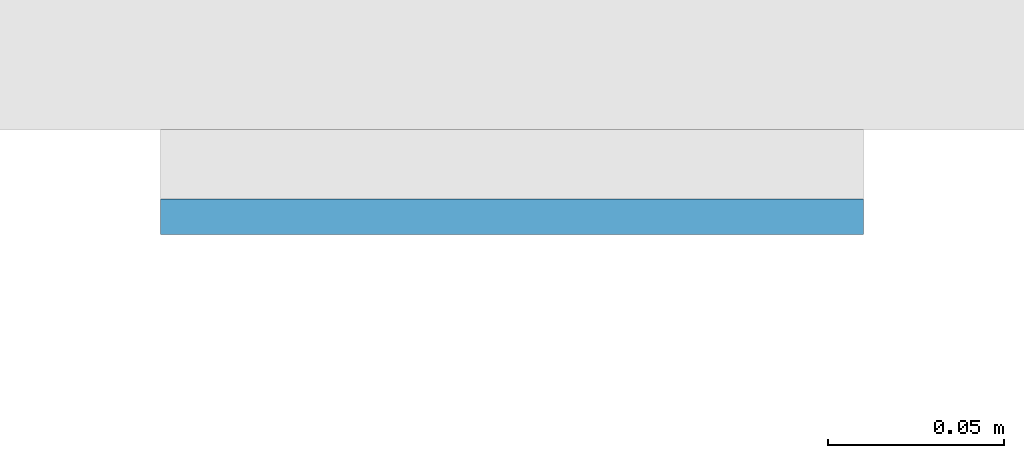
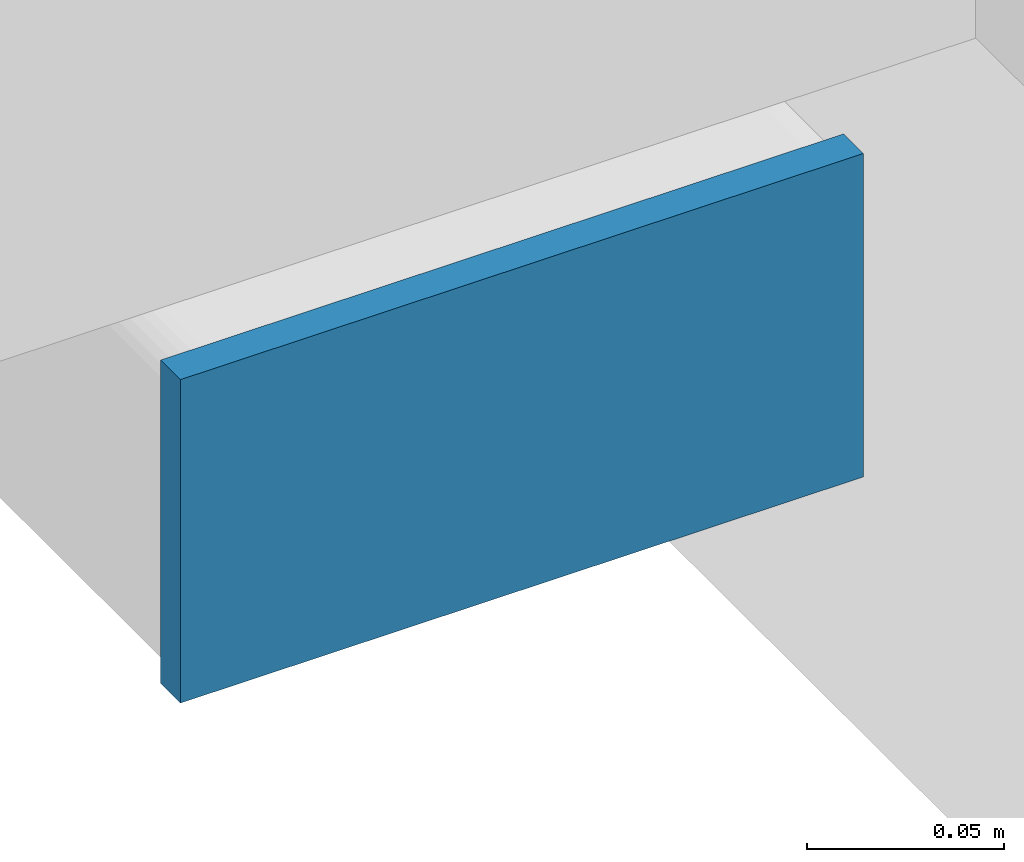
# One storey, part 8 of 20: 1 plate.
"""IFC4 building model written with IfcOpenShell, lengths in metres."""

from ifc_helpers import new_model, si_unit, direction, frame, origin, origin_2d, place, context, subcontext, project, spatial, rectangle, extrude, material, layer, layer_set, type_object, element, save


model = new_model("IFC4")

# Units and contexts
model_context = context("Model", 3, precision=1e-05, world=origin(), true_north=direction((0.0, 1.0)))
body_context = subcontext(model_context, "Body", "Model", "MODEL_VIEW")
ifc_project = project(units=[si_unit("LENGTHUNIT", "METRE"), si_unit("AREAUNIT", "SQUARE_METRE"), si_unit("VOLUMEUNIT", "CUBIC_METRE"), si_unit("PLANEANGLEUNIT", "RADIAN"), si_unit("MASSUNIT", "GRAM", prefix="KILO")], contexts=[model_context])

# Site, building, storey
site_placement = place(None, origin())
site = spatial("IfcSite", under=ifc_project, at=site_placement, CompositionType="ELEMENT")
building_placement = place(site_placement, origin())
building = spatial("IfcBuilding", under=site, at=building_placement, Name="Cleftline Residences", CompositionType="ELEMENT")
storey_placement = place(building_placement, frame((0.0, 0.0, 211.0)))
storey = spatial("IfcBuildingStorey", under=building, at=storey_placement, Name="L55", CompositionType="ELEMENT", Elevation=211.0)

# Plate
ifc_material = material(Name="Steel S355, hot-dip galvanised", Category="steel")
ifc_layer = layer(ifc_material, 0.010009765625)
ifc_layer_set = layer_set([ifc_layer], Name="BAGUETTE CARRIER END PLATE 200X100X10")
plate_type = type_object("IfcPlateType", Name="BAGUETTE CARRIER END PLATE 200X100X10", PredefinedType="USERDEFINED", material=ifc_layer_set)
plate_placement = place(storey_placement, frame((-0.85009765625, 3.695068359375, -0.10009765625), z_axis=(0.0, 0.0, 1.0), x_axis=(-1.0, 0.0, 0.0)))
element("IfcPlate", 1, at=plate_placement, inside=storey, type_object=plate_type, Name="Baguette carrier end plate", ObjectType="BAGUETTE CARRIER END PLATE", PredefinedType="USERDEFINED", context=body_context, shape_type="SweptSolid", body=[
    extrude(rectangle(XDim=0.199951171875, YDim=0.010009765625, at=origin_2d()), origin(), (0.0, 0.0, 1.0), 0.10009765625),
])

save(model, "model.ifc")
